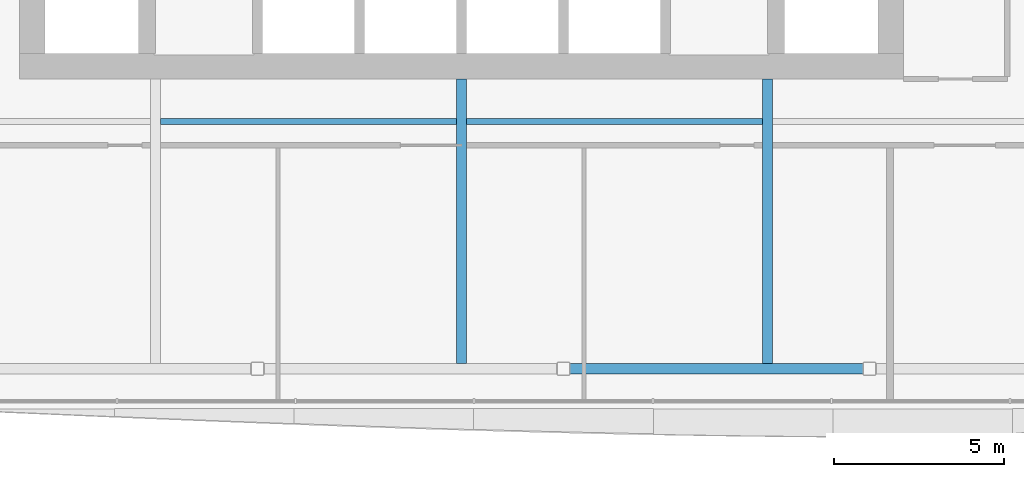
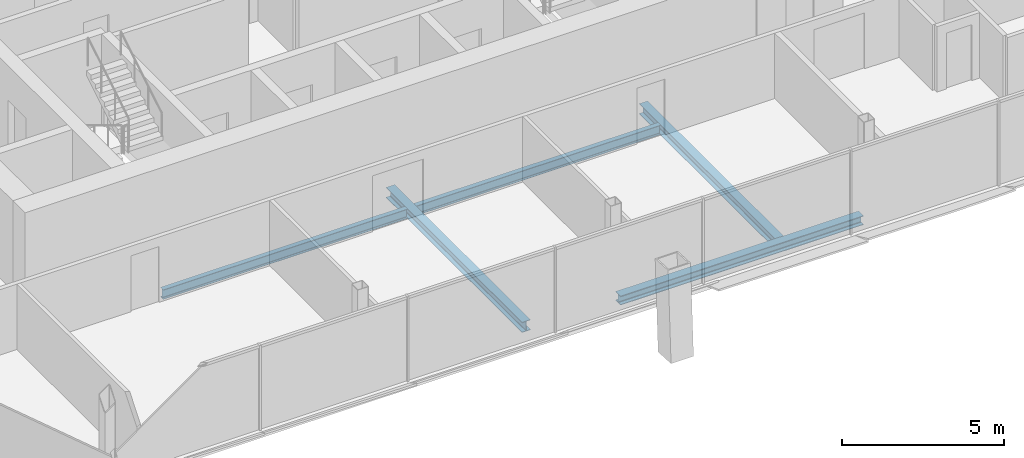
# One storey, part 5 of 18: 5 beams.
"""IFC4 building model written with IfcOpenShell, lengths in metres."""

from ifc_helpers import new_model, si_unit, direction, frame, origin, origin_2d, place, context, subcontext, project, spatial, i_section, extrude, material, material_profile, profile_set, type_object, element, save


model = new_model("IFC4")

# Units and contexts
model_context = context("Model", 3, precision=1e-05, world=origin(), true_north=direction((0.0, 1.0)))
body_context = subcontext(model_context, "Body", "Model", "MODEL_VIEW")
ifc_project = project(units=[si_unit("LENGTHUNIT", "METRE"), si_unit("AREAUNIT", "SQUARE_METRE"), si_unit("VOLUMEUNIT", "CUBIC_METRE"), si_unit("PLANEANGLEUNIT", "RADIAN"), si_unit("MASSUNIT", "GRAM", prefix="KILO")], contexts=[model_context])

# Site, building, storey
site_placement = place(None, origin())
site = spatial("IfcSite", under=ifc_project, at=site_placement, CompositionType="ELEMENT")
building_placement = place(site_placement, origin())
building = spatial("IfcBuilding", under=site, at=building_placement, Name="Tskaro Facet Tower", CompositionType="ELEMENT")
storey_placement = place(building_placement, frame((0.0, 0.0, 155.5)))
storey = spatial("IfcBuildingStorey", under=building, at=storey_placement, Name="L38", CompositionType="ELEMENT", Elevation=155.5)

# Beams
ifc_material = material(Name="Steel S355J2", Category="steel")
ifc_material_profile_1 = material_profile(ifc_material, i_section(OverallWidth=0.300048828125, OverallDepth=0.340087890625, WebThickness=0.011962890625, FlangeThickness=0.021484375, FilletRadius=0.027099609375, at=origin_2d()), Name="HE 340 B")
ifc_profile_set_1 = profile_set([ifc_material_profile_1], Name="Steel S355J2")
beam_type_1 = type_object("IfcBeamType", Name="HE 340 B ring beam", PredefinedType="BEAM", material=ifc_profile_set_1)
beam_placement = place(storey_placement, frame((3.179931640625, -20.77392578125, -0.31005859375), z_axis=(1.0, 0.0, 0.0), x_axis=(0.0, 1.0, 0.0)))
element("IfcBeam", 1, at=beam_placement, inside=storey, type_object=beam_type_1, Name="HE 340 B EB3-3", PredefinedType="BEAM", context=body_context, shape_type="SweptSolid", body=[
    extrude(i_section(OverallWidth=0.300048828125, OverallDepth=0.340087890625, WebThickness=0.011962890625, FlangeThickness=0.021484375, FilletRadius=0.027099609375, at=origin_2d()), origin(), (0.0, 0.0, 1.0), 8.64013671875),
])
ifc_material_profile_2 = material_profile(ifc_material, i_section(OverallWidth=0.300048828125, OverallDepth=0.389892578125, WebThickness=0.010986328125, FlangeThickness=0.01904296875, FilletRadius=0.027099609375, at=origin_2d()), Name="HE 400 A")
ifc_profile_set_2 = profile_set([ifc_material_profile_2], Name="Steel S355J2")
beam_type_2 = type_object("IfcBeamType", Name="HE 400 A girder", PredefinedType="BEAM", material=ifc_profile_set_2)
for number, where, z_axis, x_axis, name in (
    (2, (0.0, -20.6240234375, -0.3349609375), (0.0, 1.0, 0.0), (-1.0, 0.0, 0.0), "HE 400 A GB4-1-3"),
    (3, (9.0, -20.6240234375, -0.3349609375), (0.0, 1.0, 0.0), (-1.0, 0.0, 0.0), "HE 400 A GB5-1-3"),
):
    element("IfcBeam", number, at=place(storey_placement, frame(where, z_axis=z_axis, x_axis=x_axis)), inside=storey, type_object=beam_type_2, Name=name, PredefinedType="BEAM", context=body_context, shape_type="SweptSolid", body=[
        extrude(i_section(OverallWidth=0.300048828125, OverallDepth=0.389892578125, WebThickness=0.010986328125, FlangeThickness=0.01904296875, FilletRadius=0.027099609375, at=origin_2d()), origin(), (0.0, 0.0, 1.0), 8.3740234375),
    ])
ifc_material_profile_3 = material_profile(ifc_material, i_section(OverallWidth=0.169921875, OverallDepth=0.360107421875, WebThickness=0.008056640625, FlangeThickness=0.0126953125, FilletRadius=0.01806640625, at=origin_2d()), Name="IPE 360")
ifc_profile_set_3 = profile_set([ifc_material_profile_3], Name="Steel S355J2")
beam_type_3 = type_object("IfcBeamType", Name="IPE 360 secondary beam", PredefinedType="BEAM", material=ifc_profile_set_3)
for number, where, z_axis, x_axis, name in (
    (4, (-8.85009765625, -13.5, -0.320068359375), (1.0, 0.0, 0.0), (0.0, 1.0, 0.0), "IPE 360 SB2a-2-3"),
    (5, (0.14990234375, -13.5, -0.320068359375), (1.0, 0.0, 0.0), (0.0, 1.0, 0.0), "IPE 360 SB2a-3-3"),
):
    element("IfcBeam", number, at=place(storey_placement, frame(where, z_axis=z_axis, x_axis=x_axis)), inside=storey, type_object=beam_type_3, Name=name, PredefinedType="BEAM", context=body_context, shape_type="SweptSolid", body=[
        extrude(i_section(OverallWidth=0.169921875, OverallDepth=0.360107421875, WebThickness=0.008056640625, FlangeThickness=0.0126953125, FilletRadius=0.01806640625, at=origin_2d()), origin(), (0.0, 0.0, 1.0), 8.7001953125),
    ])

save(model, "model.ifc")
